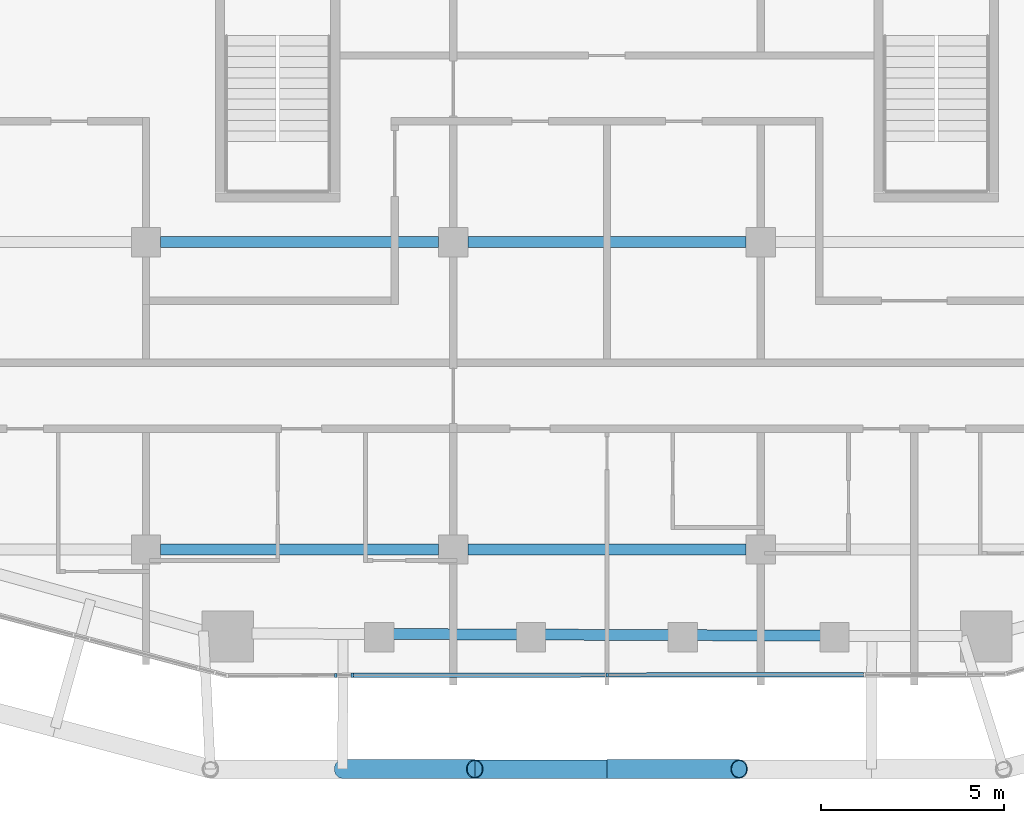
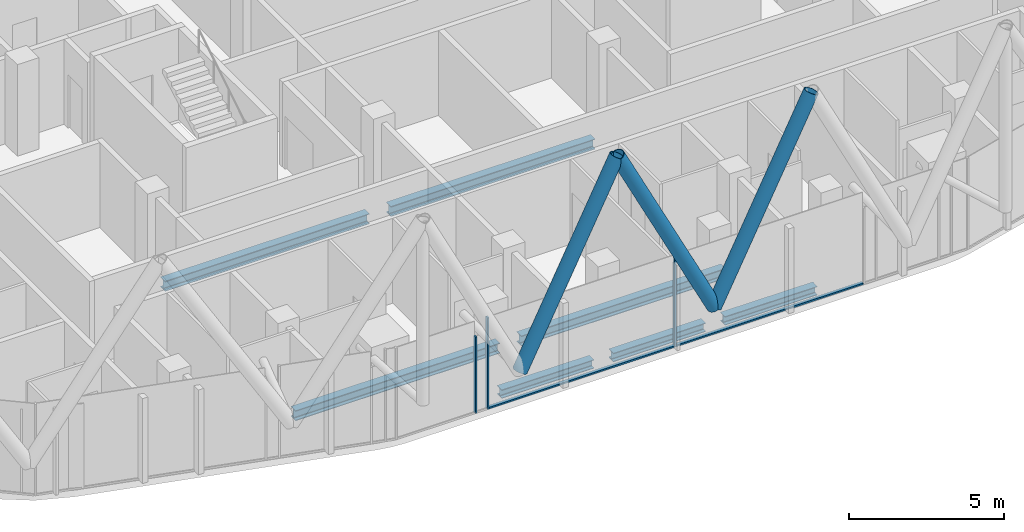
# One storey, part 3 of 31: 8 members, 7 beams, 2 elements without a shape of their own.
"""IFC4 building model written with IfcOpenShell, lengths in metres."""

from ifc_helpers import new_model, si_unit, direction, frame, origin, origin_2d, place, context, subcontext, project, spatial, rectangle, hollow_circle, i_section, extrude, material, layer, layer_set, material_profile, profile_set, type_object, element, aggregate, save


model = new_model("IFC4")

# Units and contexts
model_context = context("Model", 3, precision=1e-05, world=origin(), true_north=direction((0.0, 1.0)))
body_context = subcontext(model_context, "Body", "Model", "MODEL_VIEW")
ifc_project = project(units=[si_unit("LENGTHUNIT", "METRE"), si_unit("AREAUNIT", "SQUARE_METRE"), si_unit("VOLUMEUNIT", "CUBIC_METRE"), si_unit("PLANEANGLEUNIT", "RADIAN"), si_unit("MASSUNIT", "GRAM", prefix="KILO")], contexts=[model_context])

# Site, building, storey
site_placement = place(None, origin())
site = spatial("IfcSite", under=ifc_project, at=site_placement, CompositionType="ELEMENT")
building_placement = place(site_placement, origin())
building = spatial("IfcBuilding", under=site, at=building_placement, Name="Marenta Gate Hotel Tower", CompositionType="ELEMENT")
storey_placement = place(building_placement, frame((0.0, 0.0, 220.10009765625)))
storey = spatial("IfcBuildingStorey", under=building, at=storey_placement, Name="L51", CompositionType="ELEMENT", Elevation=220.10009765625)

# Members
ifc_material_1 = material(Name="Steel S355J2W", Category="steel")
ifc_material_profile_1 = material_profile(ifc_material_1, hollow_circle(Radius=0.25390625, WallThickness=0.02490234375, at=origin_2d()), Name="CHS 508x25")
ifc_profile_set_1 = profile_set([ifc_material_profile_1], Name="Steel S355J2W")
member_type_1 = type_object("IfcMemberType", Name="Diagrid diagonal Z3 CHS 508x25", PredefinedType="BRACE", material=ifc_profile_set_1)
for number, where, z_axis, x_axis, name in (
    (1, (0.0, -31.199951171875, 3.139892578125), (0.44851025603, 0.0, 0.893777685018), (0.0, 1.0, 0.0), "L51-DG-17"),
    (2, (0.0, -31.199951171875, 3.139892578125), (-0.44851025603, 0.0, 0.893777685018), (0.0, -1.0, 0.0), "L51-DG-18"),
    (3, (-7.22607421875, -31.199951171875, 3.139892578125), (0.44851025603, 0.0, 0.893777685018), (0.0, 1.0, 0.0), "L51-DG-19"),
):
    element("IfcMember", number, at=place(storey_placement, frame(where, z_axis=z_axis, x_axis=x_axis)), inside=storey, type_object=member_type_1, Name=name, PredefinedType="BRACE", context=body_context, shape_type="SweptSolid", body=[
        extrude(hollow_circle(Radius=0.25390625, WallThickness=0.02490234375, at=origin_2d()), origin(), (0.0, 0.0, 1.0), 8.0556640625),
    ])

# Beams
ifc_material_2 = material(Name="Steel S355", Category="steel")
ifc_material_profile_2 = material_profile(ifc_material_2, i_section(OverallWidth=0.300048828125, OverallDepth=0.340087890625, WebThickness=0.011962890625, FlangeThickness=0.021484375, FilletRadius=0.027099609375, at=origin_2d()), Name="HEB 340")
ifc_profile_set_2 = profile_set([ifc_material_profile_2], Name="Steel S355")
beam_type_1 = type_object("IfcBeamType", Name="Edge beam HEB 340", PredefinedType="SPANDREL", material=ifc_profile_set_2)
for number, where, z_axis, x_axis, name in (
    (4, (5.860107421875, -27.555419921875, -0.43017578125), (-0.999992599416, 0.003847221457, 0.0), (-0.003847221457, -0.999992599416, 0.0), "L51-EB-33"),
    (5, (1.71337890625, -27.539306640625, -0.43017578125), (-0.999992599416, 0.003847221457, 0.0), (-0.003847221457, -0.999992599416, 0.0), "L51-EB-34"),
    (6, (-2.433349609375, -27.5234375, -0.43017578125), (-0.999992599416, 0.003847221457, 0.0), (-0.003847221457, -0.999992599416, 0.0), "L51-EB-35"),
):
    element("IfcBeam", number, at=place(storey_placement, frame(where, z_axis=z_axis, x_axis=x_axis)), inside=storey, type_object=beam_type_1, Name=name, PredefinedType="SPANDREL", context=body_context, shape_type="SweptSolid", body=[
        extrude(i_section(OverallWidth=0.300048828125, OverallDepth=0.340087890625, WebThickness=0.011962890625, FlangeThickness=0.021484375, FilletRadius=0.027099609375, at=origin_2d()), origin(), (0.0, 0.0, 1.0), 3.4267578125),
    ])
ifc_material_3 = material(Name="Steel S355", Category="steel")
ifc_material_profile_3 = material_profile(ifc_material_3, i_section(OverallWidth=0.300048828125, OverallDepth=0.39990234375, WebThickness=0.013427734375, FlangeThickness=0.02392578125, FilletRadius=0.027099609375, at=origin_2d()), Name="HEB 400")
ifc_profile_set_3 = profile_set([ifc_material_profile_3], Name="Steel S355")
beam_type_2 = type_object("IfcBeamType", Name="Girder HEB 400", PredefinedType="BEAM", material=ifc_profile_set_3)
beam_1_placement = place(storey_placement, frame((-12.199951171875, -25.199951171875, -0.460205078125), z_axis=(1.0, 0.0, 0.0), x_axis=(0.0, 1.0, 0.0)))
element("IfcBeam", 7, at=beam_1_placement, inside=storey, type_object=beam_type_2, Name="L51-GD-2", PredefinedType="BEAM", context=body_context, shape_type="SweptSolid", body=[
    extrude(i_section(OverallWidth=0.300048828125, OverallDepth=0.39990234375, WebThickness=0.013427734375, FlangeThickness=0.02392578125, FilletRadius=0.027099609375, at=origin_2d()), origin(), (0.0, 0.0, 1.0), 7.599853515625),
])
beam_2_placement = place(storey_placement, frame((-3.800048828125, -25.199951171875, -0.460205078125), z_axis=(1.0, 0.0, 0.0), x_axis=(0.0, 1.0, 0.0)))
element("IfcBeam", 8, at=beam_2_placement, inside=storey, type_object=beam_type_2, Name="L51-GD-3", PredefinedType="BEAM", context=body_context, shape_type="SweptSolid", body=[
    extrude(i_section(OverallWidth=0.300048828125, OverallDepth=0.39990234375, WebThickness=0.013427734375, FlangeThickness=0.02392578125, FilletRadius=0.027099609375, at=origin_2d()), origin(), (0.0, 0.0, 1.0), 7.60009765625),
])
beam_3_placement = place(storey_placement, frame((-12.199951171875, -16.800048828125, -0.460205078125), z_axis=(1.0, 0.0, 0.0), x_axis=(0.0, 1.0, 0.0)))
element("IfcBeam", 9, at=beam_3_placement, inside=storey, type_object=beam_type_2, Name="L51-GD-8", PredefinedType="BEAM", context=body_context, shape_type="SweptSolid", body=[
    extrude(i_section(OverallWidth=0.300048828125, OverallDepth=0.39990234375, WebThickness=0.013427734375, FlangeThickness=0.02392578125, FilletRadius=0.027099609375, at=origin_2d()), origin(), (0.0, 0.0, 1.0), 7.599853515625),
])
beam_4_placement = place(storey_placement, frame((-3.800048828125, -16.800048828125, -0.460205078125), z_axis=(1.0, 0.0, 0.0), x_axis=(0.0, 1.0, 0.0)))
element("IfcBeam", 10, at=beam_4_placement, inside=storey, type_object=beam_type_2, Name="L51-GD-9", PredefinedType="BEAM", context=body_context, shape_type="SweptSolid", body=[
    extrude(i_section(OverallWidth=0.300048828125, OverallDepth=0.39990234375, WebThickness=0.013427734375, FlangeThickness=0.02392578125, FilletRadius=0.027099609375, at=origin_2d()), origin(), (0.0, 0.0, 1.0), 7.60009765625),
])

# Curtain wall, member
ifc_material_4 = material(Name="Tinted insulated glass in bronze anodised frame", Category="glass")
ifc_layer = layer(ifc_material_4, 0.1201171875)
ifc_layer_set = layer_set([ifc_layer], Name="Tinted insulated glass in bronze anodised frame")
curtain_wall_type = type_object("IfcCurtainWallType", Name="Tower unitised curtain wall CW1", PredefinedType="NOTDEFINED", material=ifc_layer_set)
curtain_wall_1_placement = place(storey_placement, origin())
curtain_wall_1 = element("IfcCurtainWall", 11, at=curtain_wall_1_placement, inside=storey, type_object=curtain_wall_type, Name="CW1 run G20", PredefinedType="NOTDEFINED")
ifc_material_5 = material(Name="Bronze anodised aluminium", Category="aluminium")
ifc_material_profile_4 = material_profile(ifc_material_5, rectangle(XDim=0.1201171875, YDim=0.06005859375, at=origin_2d()), Name="Mullion CW1 60x120 bronze anodised aluminium")
ifc_profile_set_4 = profile_set([ifc_material_profile_4], Name="Bronze anodised aluminium")
member_type_2 = type_object("IfcMemberType", Name="Mullion CW1 60x120 bronze anodised aluminium", PredefinedType="MULLION", material=ifc_profile_set_4)
member_1_placement = place(storey_placement, frame((-7.41259765625, -28.642578125, 0.0), z_axis=(0.0, 0.0, 1.0), x_axis=(-0.001766001654, 0.999998440618, 0.0)))
member_1 = element("IfcMember", 12, at=member_1_placement, type_object=member_type_2, Name="CW1 mullion 1", PredefinedType="MULLION", context=body_context, shape_type="SweptSolid", body=[
    extrude(rectangle(XDim=0.1201171875, YDim=0.06005859375, at=origin_2d()), origin(), (0.0, 0.0, 1.0), 3.00048828125),
])
aggregate(curtain_wall_1, [member_1])

# Curtain wall, members
curtain_wall_2_placement = place(storey_placement, origin())
curtain_wall_2 = element("IfcCurtainWall", 13, at=curtain_wall_2_placement, inside=storey, type_object=curtain_wall_type, Name="CW1 run G21", PredefinedType="NOTDEFINED")
member_2_placement = place(storey_placement, frame((-6.959716796875, -28.641845703125, 0.0), z_axis=(0.0, 0.0, 1.0), x_axis=(-0.001635817263, 0.99999866205, 0.0)))
member_2 = element("IfcMember", 14, at=member_2_placement, type_object=member_type_2, Name="CW1 mullion 1", PredefinedType="MULLION", context=body_context, shape_type="SweptSolid", body=[
    extrude(rectangle(XDim=0.1201171875, YDim=0.06005859375, at=origin_2d()), origin(), (0.0, 0.0, 1.0), 3.599853515625),
])
member_3_placement = place(storey_placement, frame((0.009765625, -28.63037109375, 0.0), z_axis=(0.0, 0.0, 1.0), x_axis=(-0.001635817263, 0.99999866205, 0.0)))
member_3 = element("IfcMember", 15, at=member_3_placement, type_object=member_type_2, Name="CW1 mullion 2", PredefinedType="MULLION", context=body_context, shape_type="SweptSolid", body=[
    extrude(rectangle(XDim=0.1201171875, YDim=0.06005859375, at=origin_2d()), origin(), (0.0, 0.0, 1.0), 3.599853515625),
])
ifc_material_6 = material(Name="Bronze anodised aluminium", Category="aluminium")
ifc_material_profile_5 = material_profile(ifc_material_6, rectangle(XDim=0.1201171875, YDim=0.06005859375, at=origin_2d()), Name="Transom CW1 60x120 bronze anodised aluminium")
ifc_profile_set_5 = profile_set([ifc_material_profile_5], Name="Bronze anodised aluminium")
member_type_3 = type_object("IfcMemberType", Name="Transom CW1 60x120 bronze anodised aluminium", PredefinedType="USERDEFINED", material=ifc_profile_set_5)
member_4_placement = place(storey_placement, frame((-6.9296875, -28.6416015625, 0.02978515625), z_axis=(0.999998679066, 0.001625382115, 0.0), x_axis=(-0.001625382115, 0.999998679066, 0.0)))
member_4 = element("IfcMember", 16, at=member_4_placement, type_object=member_type_3, Name="CW1 transom 1.1", ObjectType="TRANSOM", PredefinedType="USERDEFINED", context=body_context, shape_type="SweptSolid", body=[
    extrude(rectangle(XDim=0.1201171875, YDim=0.06005859375, at=origin_2d()), origin(), (0.0, 0.0, 1.0), 6.909423828125),
])
member_5_placement = place(storey_placement, frame((0.039794921875, -28.63037109375, 0.02978515625), z_axis=(0.999998644769, 0.001646347776, 0.0), x_axis=(-0.001646347776, 0.999998644769, 0.0)))
member_5 = element("IfcMember", 17, at=member_5_placement, type_object=member_type_3, Name="CW1 transom 2.1", ObjectType="TRANSOM", PredefinedType="USERDEFINED", context=body_context, shape_type="SweptSolid", body=[
    extrude(rectangle(XDim=0.1201171875, YDim=0.06005859375, at=origin_2d()), origin(), (0.0, 0.0, 1.0), 6.9697265625),
])
aggregate(curtain_wall_2, [member_2, member_3, member_4, member_5])

save(model, "model.ifc")
